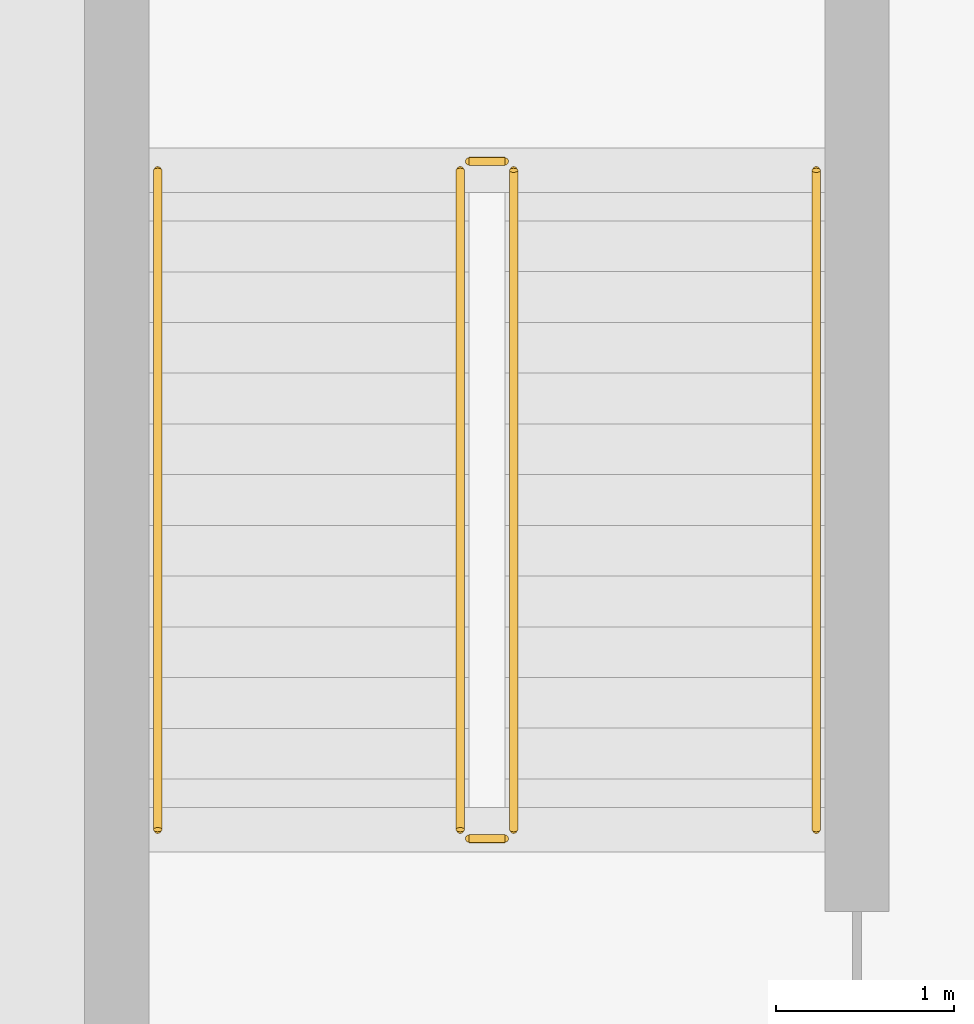
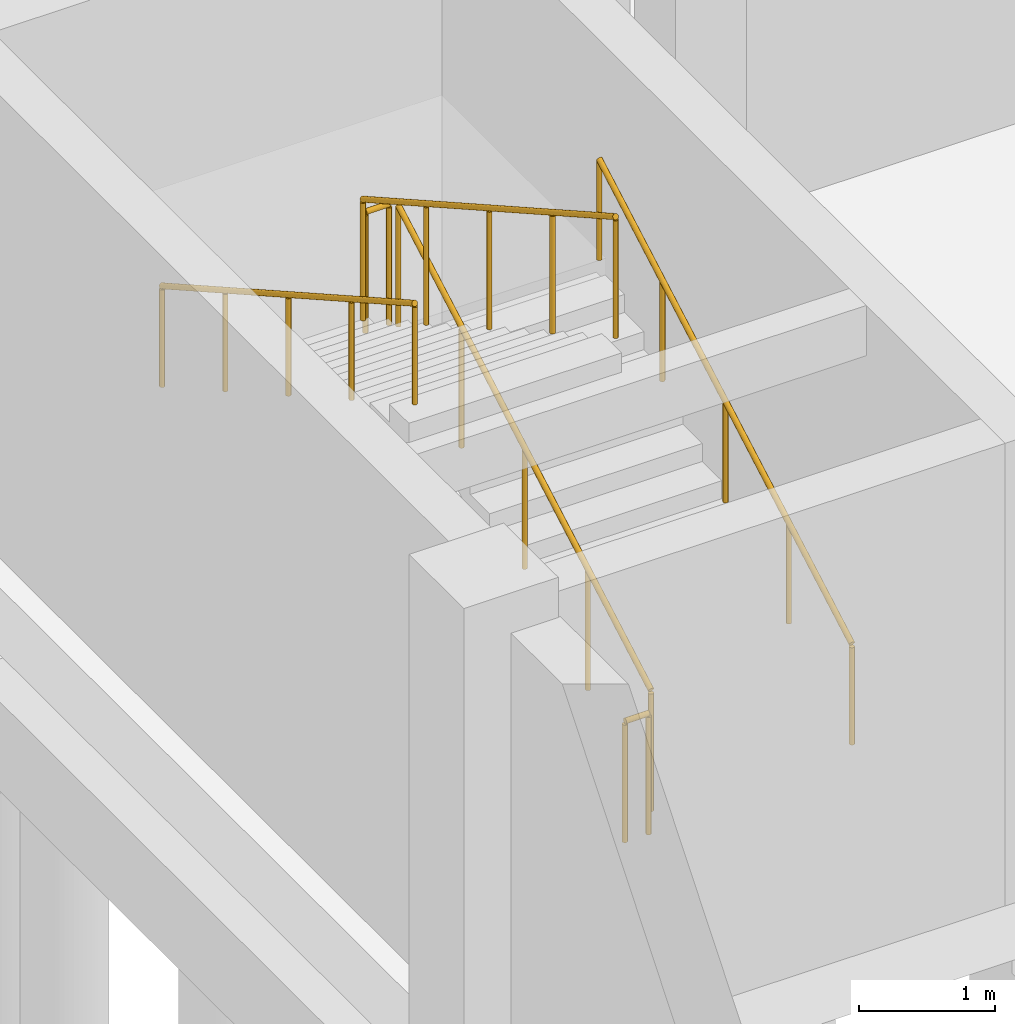
# One storey, part 24 of 25: 6 railings.
"""IFC4 building model written with IfcOpenShell, lengths in metres."""

from ifc_helpers import new_model, si_unit, direction, frame, origin, origin_2d, place, context, subcontext, project, spatial, circle, extrude, material, type_object, element, save


model = new_model("IFC4")

# Units and contexts
model_context = context("Model", 3, precision=1e-05, world=origin(), true_north=direction((0.0, 1.0)))
body_context = subcontext(model_context, "Body", "Model", "MODEL_VIEW")
ifc_project = project(units=[si_unit("LENGTHUNIT", "METRE"), si_unit("AREAUNIT", "SQUARE_METRE"), si_unit("VOLUMEUNIT", "CUBIC_METRE"), si_unit("PLANEANGLEUNIT", "RADIAN"), si_unit("MASSUNIT", "GRAM", prefix="KILO")], contexts=[model_context])

# Site, building, storey
site_placement = place(None, origin())
site = spatial("IfcSite", under=ifc_project, at=site_placement, CompositionType="ELEMENT")
building_placement = place(site_placement, origin())
building = spatial("IfcBuilding", under=site, at=building_placement, Name="Qaldarim Faculty of Natural and Applied Sciences", CompositionType="ELEMENT")
storey_placement = place(building_placement, frame((0.0, 0.0, -4.5)))
storey = spatial("IfcBuildingStorey", under=building, at=storey_placement, Name="B01", CompositionType="ELEMENT", Elevation=-4.5)

# Railings
ifc_material = material(Name="Architectural stainless steel 316", Category="steel")
railing_type_1 = type_object("IfcRailingType", Name="GuardBalustrade-1100", PredefinedType="BALUSTRADE", material=ifc_material)
railing_1_placement = place(storey_placement, frame((154.39990234375, 60.85009765625, 0.159912109375)))
element("IfcRailing", 1, at=railing_1_placement, inside=storey, type_object=railing_type_1, Name="ST-C1 B01 stair well guard 1", PredefinedType="BALUSTRADE", context=body_context, shape_type="SweptSolid", body=[
    extrude(circle(Radius=0.02392578125, at=origin_2d()), frame((0.0, 0.0, 1.076171875), z_axis=(0.0, 0.870960203982, 0.491353562194), x_axis=(-1.0, 0.0, 0.0)), (0.0, 0.0, 1.0), 4.253662109375),
    extrude(circle(Radius=0.02099609375, at=origin_2d()), origin(), (0.0, 0.0, 1.0), 1.052001953125),
    extrude(circle(Radius=0.02099609375, at=origin_2d()), frame((0.0, 0.92626953125, 0.5224609375)), (0.0, 0.0, 1.0), 1.052001953125),
    extrude(circle(Radius=0.02099609375, at=origin_2d()), frame((0.0, 1.8525390625, 1.044921875)), (0.0, 0.0, 1.0), 1.052001953125),
    extrude(circle(Radius=0.02099609375, at=origin_2d()), frame((0.0, 2.778564453125, 1.567626953125)), (0.0, 0.0, 1.0), 1.052001953125),
    extrude(circle(Radius=0.02099609375, at=origin_2d()), frame((0.0, 3.704833984375, 2.090087890625)), (0.0, 0.0, 1.0), 1.052001953125),
])
railing_2_placement = place(storey_placement, frame((154.35009765625, 64.60498046875, 2.25)))
element("IfcRailing", 2, at=railing_2_placement, inside=storey, type_object=railing_type_1, Name="ST-C1 B01 stair well guard 2", PredefinedType="BALUSTRADE", context=body_context, shape_type="SweptSolid", body=[
    extrude(circle(Radius=0.02392578125, at=origin_2d()), frame((0.0, 0.0, 1.076171875), z_axis=(-1.0, 0.0, 0.0), x_axis=(0.0, -1.0, 0.0)), (0.0, 0.0, 1.0), 0.2001953125),
    extrude(circle(Radius=0.02099609375, at=origin_2d()), origin(), (0.0, 0.0, 1.0), 1.052001953125),
    extrude(circle(Radius=0.02099609375, at=origin_2d()), frame((-0.2001953125, 0.0, 0.0)), (0.0, 0.0, 1.0), 1.052001953125),
])
railing_3_placement = place(storey_placement, frame((154.10009765625, 64.554931640625, 2.409912109375)))
element("IfcRailing", 3, at=railing_3_placement, inside=storey, type_object=railing_type_1, Name="ST-C1 B01 stair well guard 3", PredefinedType="BALUSTRADE", context=body_context, shape_type="SweptSolid", body=[
    extrude(circle(Radius=0.02392578125, at=origin_2d()), frame((0.0, 0.0, 1.076171875), z_axis=(0.0, -0.870960203982, 0.491353562194), x_axis=(1.0, 0.0, 0.0)), (0.0, 0.0, 1.0), 4.253662109375),
    extrude(circle(Radius=0.02099609375, at=origin_2d()), origin(), (0.0, 0.0, 1.0), 1.052001953125),
    extrude(circle(Radius=0.02099609375, at=origin_2d()), frame((0.0, -0.92626953125, 0.5224609375)), (0.0, 0.0, 1.0), 1.052001953125),
    extrude(circle(Radius=0.02099609375, at=origin_2d()), frame((0.0, -1.8525390625, 1.044921875)), (0.0, 0.0, 1.0), 1.052001953125),
    extrude(circle(Radius=0.02099609375, at=origin_2d()), frame((0.0, -2.778564453125, 1.567626953125)), (0.0, 0.0, 1.0), 1.052001953125),
    extrude(circle(Radius=0.02099609375, at=origin_2d()), frame((0.0, -3.704833984375, 2.090087890625)), (0.0, 0.0, 1.0), 1.052001953125),
])
railing_4_placement = place(storey_placement, frame((154.35009765625, 60.800048828125, 0.0)))
element("IfcRailing", 4, at=railing_4_placement, inside=storey, type_object=railing_type_1, Name="ST-C1 B01 stair well guard 4", PredefinedType="BALUSTRADE", context=body_context, shape_type="SweptSolid", body=[
    extrude(circle(Radius=0.02392578125, at=origin_2d()), frame((0.0, 0.0, 1.076171875), z_axis=(-1.0, 0.0, 0.0), x_axis=(0.0, -1.0, 0.0)), (0.0, 0.0, 1.0), 0.2001953125),
    extrude(circle(Radius=0.02099609375, at=origin_2d()), origin(), (0.0, 0.0, 1.0), 1.052001953125),
    extrude(circle(Radius=0.02099609375, at=origin_2d()), frame((-0.2001953125, 0.0, 0.0)), (0.0, 0.0, 1.0), 1.052001953125),
])
railing_type_2 = type_object("IfcRailingType", Name="StairHandrail-920", PredefinedType="HANDRAIL", material=ifc_material)
railing_5_placement = place(storey_placement, frame((156.10009765625, 60.85009765625, 0.159912109375)))
element("IfcRailing", 5, at=railing_5_placement, inside=storey, type_object=railing_type_2, Name="ST-C1 B01 stair handrail 1", PredefinedType="HANDRAIL", context=body_context, shape_type="SweptSolid", body=[
    extrude(circle(Radius=0.02392578125, at=origin_2d()), frame((0.0, 0.0, 0.89599609375), z_axis=(0.0, 0.870960203982, 0.491353562194), x_axis=(-1.0, 0.0, 0.0)), (0.0, 0.0, 1.0), 4.253662109375),
    extrude(circle(Radius=0.02099609375, at=origin_2d()), origin(), (0.0, 0.0, 1.0), 0.871826171875),
    extrude(circle(Radius=0.02099609375, at=origin_2d()), frame((0.0, 0.92626953125, 0.5224609375)), (0.0, 0.0, 1.0), 0.871826171875),
    extrude(circle(Radius=0.02099609375, at=origin_2d()), frame((0.0, 1.8525390625, 1.044921875)), (0.0, 0.0, 1.0), 0.871826171875),
    extrude(circle(Radius=0.02099609375, at=origin_2d()), frame((0.0, 2.778564453125, 1.567626953125)), (0.0, 0.0, 1.0), 0.871826171875),
    extrude(circle(Radius=0.02099609375, at=origin_2d()), frame((0.0, 3.704833984375, 2.090087890625)), (0.0, 0.0, 1.0), 0.871826171875),
])
railing_6_placement = place(storey_placement, frame((152.39990234375, 64.554931640625, 2.409912109375)))
element("IfcRailing", 6, at=railing_6_placement, inside=storey, type_object=railing_type_2, Name="ST-C1 B01 stair handrail 2", PredefinedType="HANDRAIL", context=body_context, shape_type="SweptSolid", body=[
    extrude(circle(Radius=0.02392578125, at=origin_2d()), frame((0.0, 0.0, 0.89599609375), z_axis=(0.0, -0.870960203982, 0.491353562194), x_axis=(1.0, 0.0, 0.0)), (0.0, 0.0, 1.0), 4.253662109375),
    extrude(circle(Radius=0.02099609375, at=origin_2d()), origin(), (0.0, 0.0, 1.0), 0.871826171875),
    extrude(circle(Radius=0.02099609375, at=origin_2d()), frame((0.0, -0.92626953125, 0.5224609375)), (0.0, 0.0, 1.0), 0.871826171875),
    extrude(circle(Radius=0.02099609375, at=origin_2d()), frame((0.0, -1.8525390625, 1.044921875)), (0.0, 0.0, 1.0), 0.871826171875),
    extrude(circle(Radius=0.02099609375, at=origin_2d()), frame((0.0, -2.778564453125, 1.567626953125)), (0.0, 0.0, 1.0), 0.871826171875),
    extrude(circle(Radius=0.02099609375, at=origin_2d()), frame((0.0, -3.704833984375, 2.090087890625)), (0.0, 0.0, 1.0), 0.871826171875),
])

save(model, "model.ifc")
